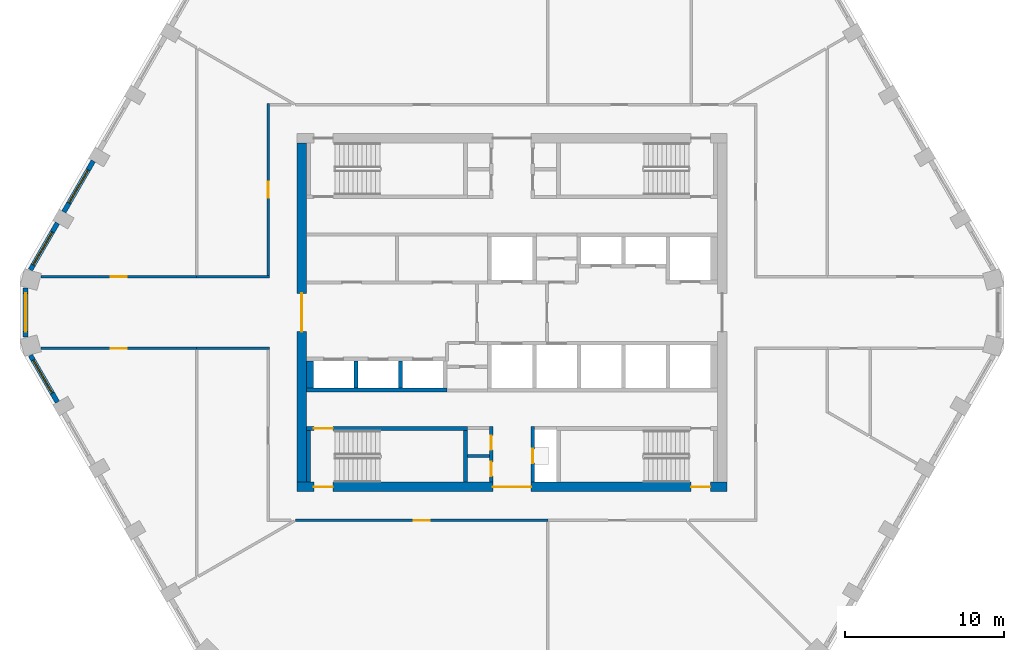
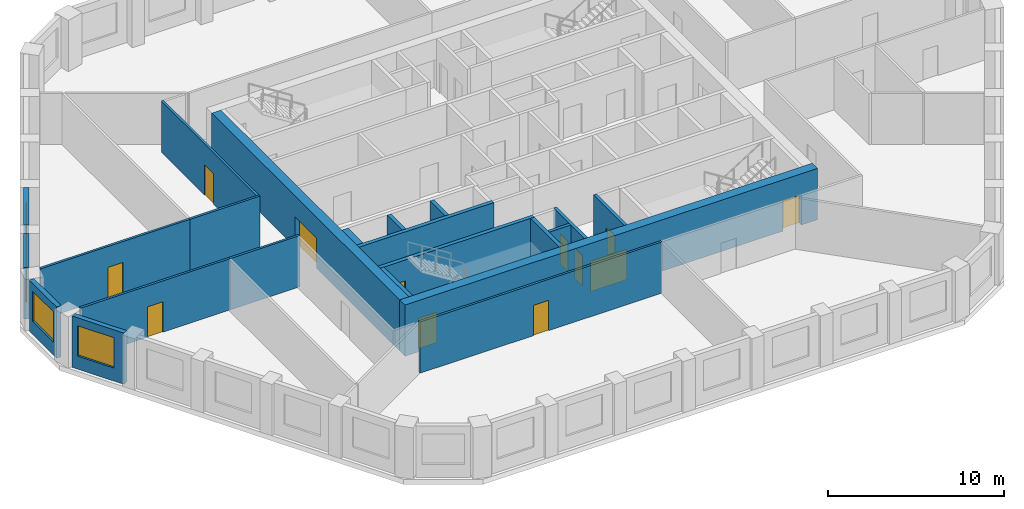
# One storey, part 2 of 8: 22 walls, 12 doors, 4 windows, 16 openings.
"""IFC4 building model written with IfcOpenShell, lengths in metres."""

from ifc_helpers import new_model, si_unit, direction, frame, frame_2d, origin, place, context, subcontext, project, spatial, polyline, rectangle, outline, extrude, material, layer, layer_set, type_object, element, fill, save


model = new_model("IFC4")

# Units and contexts
model_context = context("Model", 3, precision=1e-05, world=origin(), true_north=direction((0.0, 1.0)))
body_context = subcontext(model_context, "Body", "Model", "MODEL_VIEW")
ifc_project = project(units=[si_unit("LENGTHUNIT", "METRE"), si_unit("AREAUNIT", "SQUARE_METRE"), si_unit("VOLUMEUNIT", "CUBIC_METRE"), si_unit("PLANEANGLEUNIT", "RADIAN"), si_unit("MASSUNIT", "GRAM", prefix="KILO")], contexts=[model_context])

# Site, building, storey
site_placement = place(None, origin())
site = spatial("IfcSite", under=ifc_project, at=site_placement, CompositionType="ELEMENT")
building_placement = place(site_placement, origin())
building = spatial("IfcBuilding", under=site, at=building_placement, Name="Dhurran Vertical Campus", CompositionType="ELEMENT")
storey_placement = place(building_placement, frame((0.0, 0.0, 222.89990234375)))
storey = spatial("IfcBuildingStorey", under=building, at=storey_placement, Name="L55", CompositionType="ELEMENT", Elevation=222.89990234375)

# Wall, opening, window
ifc_material_1 = material(Name="Precast concrete C50/60", Category="concrete")
ifc_layer_1 = layer(ifc_material_1, 0.300048828125)
ifc_layer_set_1 = layer_set([ifc_layer_1], Name="Precast concrete C50/60")
wall_type_1 = type_object("IfcWallType", Name="Precast spandrel wall 300", PredefinedType="SOLIDWALL", material=ifc_layer_set_1)
wall_1_placement = place(storey_placement, frame((-26.294189453125, 9.5224609375, 0.0), z_axis=(0.0, 0.0, 1.0), x_axis=(-0.500029062817, -0.866008623709, 0.0)))
wall_1 = element("IfcWall", 1, at=wall_1_placement, inside=storey, type_object=wall_type_1, Name="EW1 L55.31", PredefinedType="SOLIDWALL", context=body_context, shape_type="SweptSolid", body=[
    extrude(rectangle(XDim=3.698974609375, YDim=0.300048828125, at=frame_2d((1.849609375, 0.0))), origin(), (0.0, 0.0, 1.0), 3.550048828125),
])
opening_1_placement = place(wall_1_placement, frame((0.6494140625, 0.0, 0.89990234375)))
opening_1 = element("IfcOpeningElement", 2, at=opening_1_placement, cuts=wall_1, Name="Opening WT1", PredefinedType="OPENING", context=body_context, shape_type="SweptSolid", body=[
    extrude(rectangle(XDim=2.39990234375, YDim=2.10009765625, at=frame_2d((1.199951171875, 1.050048828125))), frame((0.0, 0.159912109375, 0.0), z_axis=(0.0, -1.0, 0.0), x_axis=(1.0, 0.0, 0.0)), (0.0, 0.0, 1.0), 0.320068359375),
])
ifc_material_2 = material(Name="Aluminium frame with solar-control glass", Category="aluminium")
window_type = type_object("IfcWindowType", Name="Punched window 2400 x 2100", PartitioningType="SINGLE_PANEL", PredefinedType="WINDOW", material=ifc_material_2)
window_1_placement = place(opening_1_placement, origin())
window_1 = element("IfcWindow", 3, at=window_1_placement, inside=storey, type_object=window_type, Name="WT1 L55.31", OverallHeight=2.10009765625, OverallWidth=2.39990234375, PartitioningType="SINGLE_PANEL", PredefinedType="WINDOW", context=body_context, shape_type="SweptSolid", body=[
    extrude(rectangle(XDim=2.39990234375, YDim=2.10009765625, at=frame_2d((1.199951171875, 1.050048828125))), frame((0.0, 0.030029296875, 0.0), z_axis=(0.0, -1.0, 0.0), x_axis=(1.0, 0.0, 0.0)), (0.0, 0.0, 1.0), 0.06005859375),
])
fill(opening_1, window_1)

wall_2_placement = place(storey_placement, frame((-28.544189453125, 5.625244140625, 0.0), z_axis=(0.0, 0.0, 1.0), x_axis=(-0.500012868213, -0.866017974191, 0.0)))
wall_2 = element("IfcWall", 4, at=wall_2_placement, inside=storey, type_object=wall_type_1, Name="EW1 L55.32", PredefinedType="SOLIDWALL", context=body_context, shape_type="SweptSolid", body=[
    extrude(rectangle(XDim=3.39599609375, YDim=0.300048828125, at=frame_2d((1.697998046875, 0.0))), origin(), (0.0, 0.0, 1.0), 3.550048828125),
])
opening_2_placement = place(wall_2_placement, frame((0.6494140625, 0.0, 0.89990234375)))
opening_2 = element("IfcOpeningElement", 5, at=opening_2_placement, cuts=wall_2, Name="Opening WT1", PredefinedType="OPENING", context=body_context, shape_type="SweptSolid", body=[
    extrude(rectangle(XDim=2.39990234375, YDim=2.10009765625, at=frame_2d((1.199951171875, 1.050048828125))), frame((0.0, 0.159912109375, 0.0), z_axis=(0.0, -1.0, 0.0), x_axis=(1.0, 0.0, 0.0)), (0.0, 0.0, 1.0), 0.320068359375),
])
window_2_placement = place(opening_2_placement, origin())
window_2 = element("IfcWindow", 6, at=window_2_placement, inside=storey, type_object=window_type, Name="WT1 L55.32", OverallHeight=2.10009765625, OverallWidth=2.39990234375, PartitioningType="SINGLE_PANEL", PredefinedType="WINDOW", context=body_context, shape_type="SweptSolid", body=[
    extrude(rectangle(XDim=2.39990234375, YDim=2.10009765625, at=frame_2d((1.199951171875, 1.050048828125))), frame((0.0, 0.030029296875, 0.0), z_axis=(0.0, -1.0, 0.0), x_axis=(1.0, 0.0, 0.0)), (0.0, 0.0, 1.0), 0.06005859375),
])
fill(opening_2, window_2)

wall_3_placement = place(storey_placement, frame((-30.547119140625, 1.54638671875, 0.0), z_axis=(0.0, 0.0, 1.0), x_axis=(0.0, -1.0, 0.0)))
wall_3 = element("IfcWall", 7, at=wall_3_placement, inside=storey, type_object=wall_type_1, Name="EW1 L55.33", PredefinedType="SOLIDWALL", context=body_context, shape_type="SweptSolid", body=[
    extrude(rectangle(XDim=3.0927734375, YDim=0.300048828125, at=frame_2d((1.54638671875, 0.0))), origin(), (0.0, 0.0, 1.0), 3.550048828125),
])
opening_3_placement = place(wall_3_placement, frame((0.34619140625, 0.0, 0.89990234375)))
opening_3 = element("IfcOpeningElement", 8, at=opening_3_placement, cuts=wall_3, Name="Opening WT1", PredefinedType="OPENING", context=body_context, shape_type="SweptSolid", body=[
    extrude(rectangle(XDim=2.39990234375, YDim=2.10009765625, at=frame_2d((1.199951171875, 1.050048828125))), frame((0.0, 0.159912109375, 0.0), z_axis=(0.0, -1.0, 0.0), x_axis=(1.0, 0.0, 0.0)), (0.0, 0.0, 1.0), 0.320068359375),
])
window_3_placement = place(opening_3_placement, origin())
window_3 = element("IfcWindow", 9, at=window_3_placement, inside=storey, type_object=window_type, Name="WT1 L55.33", OverallHeight=2.10009765625, OverallWidth=2.39990234375, PartitioningType="SINGLE_PANEL", PredefinedType="WINDOW", context=body_context, shape_type="SweptSolid", body=[
    extrude(rectangle(XDim=2.39990234375, YDim=2.10009765625, at=frame_2d((1.199951171875, 1.050048828125))), frame((0.0, 0.030029296875, 0.0), z_axis=(0.0, -1.0, 0.0), x_axis=(1.0, 0.0, 0.0)), (0.0, 0.0, 1.0), 0.06005859375),
])
fill(opening_3, window_3)

wall_4_placement = place(storey_placement, frame((-30.2421875, -2.684326171875, 0.0), z_axis=(0.0, 0.0, 1.0), x_axis=(0.500012868213, -0.866017974191, 0.0)))
wall_4 = element("IfcWall", 10, at=wall_4_placement, inside=storey, type_object=wall_type_1, Name="EW1 L55.34", PredefinedType="SOLIDWALL", context=body_context, shape_type="SweptSolid", body=[
    extrude(rectangle(XDim=3.39599609375, YDim=0.300048828125, at=frame_2d((1.697998046875, 0.0))), origin(), (0.0, 0.0, 1.0), 3.550048828125),
])
opening_4_placement = place(wall_4_placement, frame((0.346435546875, 0.0, 0.89990234375)))
opening_4 = element("IfcOpeningElement", 11, at=opening_4_placement, cuts=wall_4, Name="Opening WT1", PredefinedType="OPENING", context=body_context, shape_type="SweptSolid", body=[
    extrude(rectangle(XDim=2.39990234375, YDim=2.10009765625, at=frame_2d((1.199951171875, 1.050048828125))), frame((0.0, 0.159912109375, 0.0), z_axis=(0.0, -1.0, 0.0), x_axis=(1.0, 0.0, 0.0)), (0.0, 0.0, 1.0), 0.320068359375),
])
window_4_placement = place(opening_4_placement, origin())
window_4 = element("IfcWindow", 12, at=window_4_placement, inside=storey, type_object=window_type, Name="WT1 L55.34", OverallHeight=2.10009765625, OverallWidth=2.39990234375, PartitioningType="SINGLE_PANEL", PredefinedType="WINDOW", context=body_context, shape_type="SweptSolid", body=[
    extrude(rectangle(XDim=2.39990234375, YDim=2.10009765625, at=frame_2d((1.199951171875, 1.050048828125))), frame((0.0, 0.030029296875, 0.0), z_axis=(0.0, -1.0, 0.0), x_axis=(1.0, 0.0, 0.0)), (0.0, 0.0, 1.0), 0.06005859375),
])
fill(opening_4, window_4)

# Wall, openings, doors
ifc_material_3 = material(Name="Concrete C50/60", Category="concrete")
ifc_layer_2 = layer(ifc_material_3, 0.60009765625)
ifc_layer_set_2 = layer_set([ifc_layer_2], Name="Concrete C50/60")
wall_type_2 = type_object("IfcWallType", Name="co-CORE-WALL-C2-600", PredefinedType="SHEAR", material=ifc_layer_set_2)
wall_5_placement = place(storey_placement, frame((-13.5, -10.949951171875, 0.0), z_axis=(0.0, 0.0, 1.0), x_axis=(1.0, 0.0, 0.0)))
wall_5 = element("IfcWall", 13, at=wall_5_placement, inside=storey, type_object=wall_type_2, Name="Core wall S L55", PredefinedType="SHEAR", context=body_context, shape_type="SweptSolid", body=[
    extrude(rectangle(XDim=27.0, YDim=0.60009765625, at=frame_2d((13.5, 0.0))), origin(), (0.0, 0.0, 1.0), 3.550048828125),
])
opening_5_placement = place(wall_5_placement, frame((12.300048828125, 0.0, 0.0)))
opening_5 = element("IfcOpeningElement", 14, at=opening_5_placement, cuts=wall_5, Name="Opening CV2", PredefinedType="OPENING", context=body_context, shape_type="SweptSolid", body=[
    extrude(rectangle(XDim=2.39990234375, YDim=2.10009765625, at=frame_2d((1.199951171875, 1.050048828125))), frame((0.0, 0.31005859375, 0.0), z_axis=(0.0, -1.0, 0.0), x_axis=(1.0, 0.0, 0.0)), (0.0, 0.0, 1.0), 0.6201171875),
])
opening_6_placement = place(wall_5_placement, frame((1.050048828125, 0.0, 0.0)))
opening_6 = element("IfcOpeningElement", 15, at=opening_6_placement, cuts=wall_5, Name="Opening XD3", PredefinedType="OPENING", context=body_context, shape_type="SweptSolid", body=[
    extrude(rectangle(XDim=1.199951171875, YDim=2.10009765625, at=frame_2d((0.60009765625, 1.050048828125))), frame((0.0, 0.31005859375, 0.0), z_axis=(0.0, -1.0, 0.0), x_axis=(1.0, 0.0, 0.0)), (0.0, 0.0, 1.0), 0.6201171875),
])
opening_7_placement = place(wall_5_placement, frame((24.75, 0.0, 0.0)))
opening_7 = element("IfcOpeningElement", 16, at=opening_7_placement, cuts=wall_5, Name="Opening XD4", PredefinedType="OPENING", context=body_context, shape_type="SweptSolid", body=[
    extrude(rectangle(XDim=1.199951171875, YDim=2.10009765625, at=frame_2d((0.60009765625, 1.050048828125))), frame((0.0, 0.31005859375, 0.0), z_axis=(0.0, -1.0, 0.0), x_axis=(1.0, 0.0, 0.0)), (0.0, 0.0, 1.0), 0.6201171875),
])
ifc_material_4 = material(Name="Fire-rated glazed door set")
door_type_1 = type_object("IfcDoorType", Name="co-D-LOBBY 2400x2100", OperationType="DOUBLE_DOOR_DOUBLE_SWING", PredefinedType="DOOR", material=ifc_material_4)
door_1_placement = place(opening_5_placement, origin())
door_1 = element("IfcDoor", 17, at=door_1_placement, inside=storey, type_object=door_type_1, Name="Core vestibule door S L55", OperationType="DOUBLE_DOOR_DOUBLE_SWING", OverallHeight=2.10009765625, OverallWidth=2.39990234375, PredefinedType="DOOR", context=body_context, shape_type="SweptSolid", body=[
    extrude(rectangle(XDim=2.39990234375, YDim=2.10009765625, at=frame_2d((1.199951171875, 1.050048828125))), frame((0.0, 0.02490234375, 0.0), z_axis=(0.0, -1.0, 0.0), x_axis=(1.0, 0.0, 0.0)), (0.0, 0.0, 1.0), 0.050048828125),
])
fill(opening_5, door_1)
ifc_material_5 = material(Name="Fire-rated steel door set", Category="steel")
door_type_2 = type_object("IfcDoorType", Name="co-D-STAIR-EXIT 1200x2100", OperationType="SINGLE_SWING_RIGHT", PredefinedType="DOOR", material=ifc_material_5)
door_2_placement = place(opening_6_placement, origin())
door_2 = element("IfcDoor", 18, at=door_2_placement, inside=storey, type_object=door_type_2, Name="Stair ST3 exit door L55", OperationType="SINGLE_SWING_RIGHT", OverallHeight=2.10009765625, OverallWidth=1.199951171875, PredefinedType="DOOR", context=body_context, shape_type="SweptSolid", body=[
    extrude(rectangle(XDim=1.199951171875, YDim=2.10009765625, at=frame_2d((0.60009765625, 1.050048828125))), frame((0.0, 0.02490234375, 0.0), z_axis=(0.0, -1.0, 0.0), x_axis=(1.0, 0.0, 0.0)), (0.0, 0.0, 1.0), 0.050048828125),
])
fill(opening_6, door_2)
door_3_placement = place(opening_7_placement, origin())
door_3 = element("IfcDoor", 19, at=door_3_placement, inside=storey, type_object=door_type_2, Name="Stair ST4 exit door L55", OperationType="SINGLE_SWING_RIGHT", OverallHeight=2.10009765625, OverallWidth=1.199951171875, PredefinedType="DOOR", context=body_context, shape_type="SweptSolid", body=[
    extrude(rectangle(XDim=1.199951171875, YDim=2.10009765625, at=frame_2d((0.60009765625, 1.050048828125))), frame((0.0, 0.02490234375, 0.0), z_axis=(0.0, -1.0, 0.0), x_axis=(1.0, 0.0, 0.0)), (0.0, 0.0, 1.0), 0.050048828125),
])
fill(opening_7, door_3)

# Wall, opening, door
wall_6_placement = place(storey_placement, frame((-13.199951171875, -10.64990234375, 0.0), z_axis=(0.0, 0.0, 1.0), x_axis=(0.0, 1.0, 0.0)))
wall_6 = element("IfcWall", 20, at=wall_6_placement, inside=storey, type_object=wall_type_2, Name="Core wall W L55", PredefinedType="SHEAR", context=body_context, shape_type="SweptSolid", body=[
    extrude(rectangle(XDim=21.2998046875, YDim=0.60009765625, at=frame_2d((10.64990234375, 0.0))), origin(), (0.0, 0.0, 1.0), 3.550048828125),
])
opening_8_placement = place(wall_6_placement, frame((9.449951171875, 0.0, 0.0)))
opening_8 = element("IfcOpeningElement", 21, at=opening_8_placement, cuts=wall_6, Name="Opening CL1", PredefinedType="OPENING", context=body_context, shape_type="SweptSolid", body=[
    extrude(rectangle(XDim=2.39990234375, YDim=2.10009765625, at=frame_2d((1.199951171875, 1.050048828125))), frame((0.0, 0.31005859375, 0.0), z_axis=(0.0, -1.0, 0.0), x_axis=(1.0, 0.0, 0.0)), (0.0, 0.0, 1.0), 0.6201171875),
])
door_4_placement = place(opening_8_placement, origin())
door_4 = element("IfcDoor", 22, at=door_4_placement, inside=storey, type_object=door_type_1, Name="Lift lobby door W L55", OperationType="DOUBLE_DOOR_DOUBLE_SWING", OverallHeight=2.10009765625, OverallWidth=2.39990234375, PredefinedType="DOOR", context=body_context, shape_type="SweptSolid", body=[
    extrude(rectangle(XDim=2.39990234375, YDim=2.10009765625, at=frame_2d((1.199951171875, 1.050048828125))), frame((0.0, 0.02490234375, 0.0), z_axis=(0.0, -1.0, 0.0), x_axis=(1.0, 0.0, 0.0)), (0.0, 0.0, 1.0), 0.050048828125),
])
fill(opening_8, door_4)

# Wall
ifc_material_6 = material(Name="Fire-rated masonry blockwork", Category="masonry")
ifc_layer_3 = layer(ifc_material_6, 0.199951171875)
ifc_layer_set_3 = layer_set([ifc_layer_3], Name="Fire-rated masonry blockwork")
wall_type_3 = type_object("IfcWallType", Name="co-FIRE-PARTITION-200", PredefinedType="PARTITIONING", material=ifc_layer_set_3)
wall_7_placement = place(storey_placement, frame((-2.800048828125, -9.0, 0.0), z_axis=(0.0, 0.0, 1.0), x_axis=(1.0, 0.0, 0.0)))
element("IfcWall", 23, at=wall_7_placement, inside=storey, type_object=wall_type_3, Name="Core partition sl-SW-cut0 L55", PredefinedType="PARTITIONING", context=body_context, shape_type="SweptSolid", body=[
    extrude(rectangle(XDim=1.400146484375, YDim=0.199951171875, at=frame_2d((0.7001953125, 0.0))), origin(), (0.0, 0.0, 1.0), 3.550048828125),
])

# Wall, openings, doors
wall_8_placement = place(storey_placement, frame((-1.300048828125, -10.64990234375, 0.0), z_axis=(0.0, 0.0, 1.0), x_axis=(0.0, 1.0, 0.0)))
wall_8 = element("IfcWall", 24, at=wall_8_placement, inside=storey, type_object=wall_type_3, Name="Core partition vest-SW L55", PredefinedType="PARTITIONING", context=body_context, shape_type="SweptSolid", body=[
    extrude(rectangle(XDim=3.5, YDim=0.199951171875, at=frame_2d((1.75, 0.0))), origin(), (0.0, 0.0, 1.0), 3.550048828125),
])
opening_9_placement = place(wall_8_placement, frame((0.375, 0.0, 0.0)))
opening_9 = element("IfcOpeningElement", 25, at=opening_9_placement, cuts=wall_8, Name="Opening T16-C1", PredefinedType="OPENING", context=body_context, shape_type="SweptSolid", body=[
    extrude(rectangle(XDim=0.89990234375, YDim=2.10009765625, at=frame_2d((0.449951171875, 1.050048828125))), frame((0.0, 0.10986328125, 0.0), z_axis=(0.0, -1.0, 0.0), x_axis=(1.0, 0.0, 0.0)), (0.0, 0.0, 1.0), 0.219970703125),
])
opening_10_placement = place(wall_8_placement, frame((2.02490234375, 0.0, 0.0)))
opening_10 = element("IfcOpeningElement", 26, at=opening_10_placement, cuts=wall_8, Name="Opening T16-C2", PredefinedType="OPENING", context=body_context, shape_type="SweptSolid", body=[
    extrude(rectangle(XDim=0.89990234375, YDim=2.10009765625, at=frame_2d((0.449951171875, 1.050048828125))), frame((0.0, 0.10986328125, 0.0), z_axis=(0.0, -1.0, 0.0), x_axis=(1.0, 0.0, 0.0)), (0.0, 0.0, 1.0), 0.219970703125),
])
ifc_material_7 = material(Name="Fire-rated timber door set", Category="wood")
door_type_3 = type_object("IfcDoorType", Name="co-D-ROOM 900x2100", OperationType="SINGLE_SWING_LEFT", PredefinedType="DOOR", material=ifc_material_7)
door_5_placement = place(opening_9_placement, origin())
door_5 = element("IfcDoor", 27, at=door_5_placement, inside=storey, type_object=door_type_3, Name="Store door L55", OperationType="SINGLE_SWING_LEFT", OverallHeight=2.10009765625, OverallWidth=0.89990234375, PredefinedType="DOOR", context=body_context, shape_type="SweptSolid", body=[
    extrude(rectangle(XDim=0.89990234375, YDim=2.10009765625, at=frame_2d((0.449951171875, 1.050048828125))), frame((0.0, 0.02490234375, 0.0), z_axis=(0.0, -1.0, 0.0), x_axis=(1.0, 0.0, 0.0)), (0.0, 0.0, 1.0), 0.050048828125),
])
fill(opening_9, door_5)
door_6_placement = place(opening_10_placement, origin())
door_6 = element("IfcDoor", 28, at=door_6_placement, inside=storey, type_object=door_type_3, Name="Communications room door L55", OperationType="SINGLE_SWING_LEFT", OverallHeight=2.10009765625, OverallWidth=0.89990234375, PredefinedType="DOOR", context=body_context, shape_type="SweptSolid", body=[
    extrude(rectangle(XDim=0.89990234375, YDim=2.10009765625, at=frame_2d((0.449951171875, 1.050048828125))), frame((0.0, 0.02490234375, 0.0), z_axis=(0.0, -1.0, 0.0), x_axis=(1.0, 0.0, 0.0)), (0.0, 0.0, 1.0), 0.050048828125),
])
fill(opening_10, door_6)

# Wall, opening, door
wall_9_placement = place(storey_placement, frame((1.300048828125, -10.64990234375, 0.0), z_axis=(0.0, 0.0, 1.0), x_axis=(0.0, 1.0, 0.0)))
wall_9 = element("IfcWall", 29, at=wall_9_placement, inside=storey, type_object=wall_type_3, Name="Core partition vest-SE L55", PredefinedType="PARTITIONING", context=body_context, shape_type="SweptSolid", body=[
    extrude(rectangle(XDim=3.5, YDim=0.199951171875, at=frame_2d((1.75, 0.0))), origin(), (0.0, 0.0, 1.0), 3.550048828125),
])
opening_11_placement = place(wall_9_placement, frame((1.199951171875, 0.0, 0.0)))
opening_11 = element("IfcOpeningElement", 30, at=opening_11_placement, cuts=wall_9, Name="Opening T16-C3", PredefinedType="OPENING", context=body_context, shape_type="SweptSolid", body=[
    extrude(rectangle(XDim=0.89990234375, YDim=2.10009765625, at=frame_2d((0.449951171875, 1.050048828125))), frame((0.0, 0.10986328125, 0.0), z_axis=(0.0, -1.0, 0.0), x_axis=(1.0, 0.0, 0.0)), (0.0, 0.0, 1.0), 0.219970703125),
])
door_7_placement = place(opening_11_placement, origin())
door_7 = element("IfcDoor", 31, at=door_7_placement, inside=storey, type_object=door_type_3, Name="Electrical riser door L55", OperationType="SINGLE_SWING_LEFT", OverallHeight=2.10009765625, OverallWidth=0.89990234375, PredefinedType="DOOR", context=body_context, shape_type="SweptSolid", body=[
    extrude(rectangle(XDim=0.89990234375, YDim=2.10009765625, at=frame_2d((0.449951171875, 1.050048828125))), frame((0.0, 0.02490234375, 0.0), z_axis=(0.0, -1.0, 0.0), x_axis=(1.0, 0.0, 0.0)), (0.0, 0.0, 1.0), 0.050048828125),
])
fill(opening_11, door_7)

# Walls
ifc_material_8 = material(Name="Concrete C50/60", Category="concrete")
ifc_layer_4 = layer(ifc_material_8, 0.25)
ifc_layer_set_4 = layer_set([ifc_layer_4], Name="Concrete C50/60")
wall_type_4 = type_object("IfcWallType", Name="co-SHAFT-MASS-250", PredefinedType="SHEAR", material=ifc_layer_set_4)
wall_10_placement = place(storey_placement, origin())
element("IfcWall", 32, at=wall_10_placement, inside=storey, type_object=wall_type_4, Name="Lift shaft wall S L55 1", PredefinedType="SHEAR", context=body_context, shape_type="SweptSolid", body=[
    extrude(outline(polyline([(-12.89990234375, -5.0), (-4.074951171875, -5.0), (-4.074951171875, -4.75), (-12.89990234375, -4.75), (-12.89990234375, -5.0)])), origin(), (0.0, 0.0, 1.0), 3.550048828125),
])
wall_11_placement = place(storey_placement, origin())
element("IfcWall", 33, at=wall_11_placement, inside=storey, type_object=wall_type_4, Name="Lift shaft wall S L55 3", PredefinedType="SHEAR", context=body_context, shape_type="SweptSolid", body=[
    extrude(outline(polyline([(-12.89990234375, -4.75), (-12.47509765625, -4.75), (-12.47509765625, -3.050048828125), (-12.89990234375, -3.050048828125), (-12.89990234375, -4.75)])), origin(), (0.0, 0.0, 1.0), 3.550048828125),
])
wall_12_placement = place(storey_placement, origin())
element("IfcWall", 34, at=wall_12_placement, inside=storey, type_object=wall_type_4, Name="Lift shaft wall S L55 4", PredefinedType="SHEAR", context=body_context, shape_type="SweptSolid", body=[
    extrude(outline(polyline([(-9.925048828125, -4.75), (-9.675048828125, -4.75), (-9.675048828125, -3.050048828125), (-9.925048828125, -3.050048828125), (-9.925048828125, -4.75)])), origin(), (0.0, 0.0, 1.0), 3.550048828125),
])
wall_13_placement = place(storey_placement, origin())
element("IfcWall", 35, at=wall_13_placement, inside=storey, type_object=wall_type_4, Name="Lift shaft wall S L55 5", PredefinedType="SHEAR", context=body_context, shape_type="SweptSolid", body=[
    extrude(outline(polyline([(-7.125, -4.75), (-6.875, -4.75), (-6.875, -3.050048828125), (-7.125, -3.050048828125), (-7.125, -4.75)])), origin(), (0.0, 0.0, 1.0), 3.550048828125),
])

# Wall, opening, door
ifc_material_9 = material(Name="Concrete C40/50", Category="concrete")
ifc_layer_5 = layer(ifc_material_9, 0.25)
ifc_layer_set_5 = layer_set([ifc_layer_5], Name="Concrete C40/50")
wall_type_5 = type_object("IfcWallType", Name="co-STAIR-WALL-250", PredefinedType="SHEAR", material=ifc_layer_set_5)
wall_14_placement = place(storey_placement, frame((-12.89990234375, -7.27490234375, 0.0), z_axis=(0.0, 0.0, 1.0), x_axis=(1.0, 0.0, 0.0)))
wall_14 = element("IfcWall", 36, at=wall_14_placement, inside=storey, type_object=wall_type_5, Name="Stair ST3 enclosure wall L55", PredefinedType="SHEAR", context=body_context, shape_type="SweptSolid", body=[
    extrude(rectangle(XDim=10.099853515625, YDim=0.25, at=frame_2d((5.0498046875, 0.0))), origin(), (0.0, 0.0, 1.0), 3.550048828125),
])
opening_12_placement = place(wall_14_placement, frame((0.449951171875, 0.0, 0.0)))
opening_12 = element("IfcOpeningElement", 37, at=opening_12_placement, cuts=wall_14, Name="Opening SD3", PredefinedType="OPENING", context=body_context, shape_type="SweptSolid", body=[
    extrude(rectangle(XDim=1.199951171875, YDim=2.10009765625, at=frame_2d((0.60009765625, 1.050048828125))), frame((0.0, 0.135009765625, 0.0), z_axis=(0.0, -1.0, 0.0), x_axis=(1.0, 0.0, 0.0)), (0.0, 0.0, 1.0), 0.27001953125),
])
ifc_material_10 = material(Name="Fire-rated steel door set", Category="steel")
door_type_4 = type_object("IfcDoorType", Name="co-D-STAIR 1200x2100", OperationType="SINGLE_SWING_LEFT", PredefinedType="DOOR", material=ifc_material_10)
door_8_placement = place(opening_12_placement, origin())
door_8 = element("IfcDoor", 38, at=door_8_placement, inside=storey, type_object=door_type_4, Name="Stair ST3 door L55", OperationType="SINGLE_SWING_LEFT", OverallHeight=2.10009765625, OverallWidth=1.199951171875, PredefinedType="DOOR", context=body_context, shape_type="SweptSolid", body=[
    extrude(rectangle(XDim=1.199951171875, YDim=2.10009765625, at=frame_2d((0.60009765625, 1.050048828125))), frame((0.0, 0.02490234375, 0.0), z_axis=(0.0, -1.0, 0.0), x_axis=(1.0, 0.0, 0.0)), (0.0, 0.0, 1.0), 0.050048828125),
])
fill(opening_12, door_8)

# Walls
for number, where, z_axis, x_axis, name in (
    (39, (-12.77490234375, -10.64990234375, 0.0), (0.0, 0.0, 1.0), (0.0, 1.0, 0.0), "Stair ST3 enclosure wall L55"),
    (40, (-2.925048828125, -10.64990234375, 0.0), (0.0, 0.0, 1.0), (0.0, 1.0, 0.0), "Stair ST3 enclosure wall L55"),
):
    element("IfcWall", number, at=place(storey_placement, frame(where, z_axis=z_axis, x_axis=x_axis)), inside=storey, type_object=wall_type_5, Name=name, PredefinedType="SHEAR", context=body_context, shape_type="SweptSolid", body=[
        extrude(rectangle(XDim=3.25, YDim=0.25, at=frame_2d((1.625, 0.0))), origin(), (0.0, 0.0, 1.0), 3.550048828125),
    ])

# Wall, opening, door
ifc_material_11 = material(Name="Gypsum board corridor wall on steel studs", Category="steel")
ifc_layer_6 = layer(ifc_material_11, 0.14990234375)
ifc_layer_set_6 = layer_set([ifc_layer_6], Name="Gypsum board corridor wall on steel studs")
wall_type_6 = type_object("IfcWallType", Name="fl-CW-150 corridor wall", PredefinedType="PARTITIONING", material=ifc_layer_set_6)
wall_15_placement = place(storey_placement, frame((-19.800048828125, -2.25, 0.0), z_axis=(0.0, 0.0, 1.0), x_axis=(-1.0, 0.0, 0.0)))
wall_15 = element("IfcWall", 41, at=wall_15_placement, inside=storey, type_object=wall_type_6, Name="Partition 55-01", PredefinedType="PARTITIONING", context=body_context, shape_type="SweptSolid", body=[
    extrude(rectangle(XDim=9.784912109375, YDim=0.14990234375, at=frame_2d((4.892578125, 0.0))), origin(), (0.0, 0.0, 1.0), 3.550048828125),
])
opening_13_placement = place(wall_15_placement, frame((4.392578125, 0.0, 0.0)))
opening_13 = element("IfcOpeningElement", 42, at=opening_13_placement, cuts=wall_15, Name="Opening T16.01", PredefinedType="OPENING", context=body_context, shape_type="SweptSolid", body=[
    extrude(rectangle(XDim=1.0, YDim=2.10009765625, at=frame_2d((0.5, 1.050048828125))), frame((0.0, 0.0849609375, 0.0), z_axis=(0.0, -1.0, 0.0), x_axis=(1.0, 0.0, 0.0)), (0.0, 0.0, 1.0), 0.169921875),
])
ifc_material_12 = material(Name="Solid-core timber door set, fire-rated", Category="wood")
door_type_5 = type_object("IfcDoorType", Name="fl-D-1000x2100", OperationType="SINGLE_SWING_LEFT", PredefinedType="DOOR", material=ifc_material_12)
door_9_placement = place(opening_13_placement, origin())
door_9 = element("IfcDoor", 43, at=door_9_placement, inside=storey, type_object=door_type_5, Name="Door 55.01", OperationType="SINGLE_SWING_RIGHT", OverallHeight=2.10009765625, OverallWidth=1.0, PredefinedType="DOOR", context=body_context, shape_type="SweptSolid", body=[
    extrude(rectangle(XDim=1.0, YDim=2.10009765625, at=frame_2d((0.5, 1.050048828125))), frame((0.0, 0.02490234375, 0.0), z_axis=(0.0, -1.0, 0.0), x_axis=(1.0, 0.0, 0.0)), (0.0, 0.0, 1.0), 0.050048828125),
])
fill(opening_13, door_9)

wall_16_placement = place(storey_placement, frame((-29.5849609375, 2.25, 0.0), z_axis=(0.0, 0.0, 1.0), x_axis=(1.0, 0.0, 0.0)))
wall_16 = element("IfcWall", 44, at=wall_16_placement, inside=storey, type_object=wall_type_6, Name="Partition 55-02", PredefinedType="PARTITIONING", context=body_context, shape_type="SweptSolid", body=[
    extrude(rectangle(XDim=9.784912109375, YDim=0.14990234375, at=frame_2d((4.892578125, 0.0))), origin(), (0.0, 0.0, 1.0), 3.550048828125),
])
opening_14_placement = place(wall_16_placement, frame((4.392578125, 0.0, 0.0)))
opening_14 = element("IfcOpeningElement", 45, at=opening_14_placement, cuts=wall_16, Name="Opening T16.02", PredefinedType="OPENING", context=body_context, shape_type="SweptSolid", body=[
    extrude(rectangle(XDim=1.0, YDim=2.10009765625, at=frame_2d((0.5, 1.050048828125))), frame((0.0, 0.0849609375, 0.0), z_axis=(0.0, -1.0, 0.0), x_axis=(1.0, 0.0, 0.0)), (0.0, 0.0, 1.0), 0.169921875),
])
door_10_placement = place(opening_14_placement, origin())
door_10 = element("IfcDoor", 46, at=door_10_placement, inside=storey, type_object=door_type_5, Name="Door 55.02", OperationType="SINGLE_SWING_LEFT", OverallHeight=2.10009765625, OverallWidth=1.0, PredefinedType="DOOR", context=body_context, shape_type="SweptSolid", body=[
    extrude(rectangle(XDim=1.0, YDim=2.10009765625, at=frame_2d((0.5, 1.050048828125))), frame((0.0, 0.02490234375, 0.0), z_axis=(0.0, -1.0, 0.0), x_axis=(1.0, 0.0, 0.0)), (0.0, 0.0, 1.0), 0.050048828125),
])
fill(opening_14, door_10)

# Walls
for number, where, z_axis, x_axis, name in (
    (47, (-15.22509765625, -2.25, 0.0), (0.0, 0.0, 1.0), (-1.0, 0.0, 0.0), "Partition 55-07"),
    (48, (-19.800048828125, 2.25, 0.0), (0.0, 0.0, 1.0), (1.0, 0.0, 0.0), "Partition 55-09"),
):
    element("IfcWall", number, at=place(storey_placement, frame(where, z_axis=z_axis, x_axis=x_axis)), inside=storey, type_object=wall_type_6, Name=name, PredefinedType="PARTITIONING", context=body_context, shape_type="SweptSolid", body=[
        extrude(rectangle(XDim=4.574951171875, YDim=0.14990234375, at=frame_2d((2.28759765625, 0.0))), origin(), (0.0, 0.0, 1.0), 3.550048828125),
    ])

# Wall, opening, door
wall_17_placement = place(storey_placement, frame((-15.300048828125, 13.125, 0.0), z_axis=(0.0, 0.0, 1.0), x_axis=(0.0, -1.0, 0.0)))
wall_17 = element("IfcWall", 49, at=wall_17_placement, inside=storey, type_object=wall_type_6, Name="Partition 55-13", PredefinedType="PARTITIONING", context=body_context, shape_type="SweptSolid", body=[
    extrude(rectangle(XDim=10.800048828125, YDim=0.14990234375, at=frame_2d((5.39990234375, 0.0))), origin(), (0.0, 0.0, 1.0), 3.550048828125),
])
opening_15_placement = place(wall_17_placement, frame((4.89990234375, 0.0, 0.0)))
opening_15 = element("IfcOpeningElement", 50, at=opening_15_placement, cuts=wall_17, Name="Opening T16.04", PredefinedType="OPENING", context=body_context, shape_type="SweptSolid", body=[
    extrude(rectangle(XDim=1.0, YDim=2.10009765625, at=frame_2d((0.5, 1.050048828125))), frame((0.0, 0.0849609375, 0.0), z_axis=(0.0, -1.0, 0.0), x_axis=(1.0, 0.0, 0.0)), (0.0, 0.0, 1.0), 0.169921875),
])
door_11_placement = place(opening_15_placement, origin())
door_11 = element("IfcDoor", 51, at=door_11_placement, inside=storey, type_object=door_type_5, Name="Door 55.04", OperationType="SINGLE_SWING_LEFT", OverallHeight=2.10009765625, OverallWidth=1.0, PredefinedType="DOOR", context=body_context, shape_type="SweptSolid", body=[
    extrude(rectangle(XDim=1.0, YDim=2.10009765625, at=frame_2d((0.5, 1.050048828125))), frame((0.0, 0.02490234375, 0.0), z_axis=(0.0, -1.0, 0.0), x_axis=(1.0, 0.0, 0.0)), (0.0, 0.0, 1.0), 0.050048828125),
])
fill(opening_15, door_11)

wall_18_placement = place(storey_placement, frame((-13.60302734375, -13.050048828125, 0.0), z_axis=(0.0, 0.0, 1.0), x_axis=(1.0, 0.0, 0.0)))
wall_18 = element("IfcWall", 52, at=wall_18_placement, inside=storey, type_object=wall_type_6, Name="Partition 55-15", PredefinedType="PARTITIONING", context=body_context, shape_type="SweptSolid", body=[
    extrude(rectangle(XDim=15.85302734375, YDim=0.14990234375, at=frame_2d((7.926513671875, 0.0))), origin(), (0.0, 0.0, 1.0), 3.550048828125),
])
opening_16_placement = place(wall_18_placement, frame((7.426513671875, 0.0, 0.0)))
opening_16 = element("IfcOpeningElement", 53, at=opening_16_placement, cuts=wall_18, Name="Opening T16.05", PredefinedType="OPENING", context=body_context, shape_type="SweptSolid", body=[
    extrude(rectangle(XDim=1.0, YDim=2.10009765625, at=frame_2d((0.5, 1.050048828125))), frame((0.0, 0.0849609375, 0.0), z_axis=(0.0, -1.0, 0.0), x_axis=(1.0, 0.0, 0.0)), (0.0, 0.0, 1.0), 0.169921875),
])
door_12_placement = place(opening_16_placement, origin())
door_12 = element("IfcDoor", 54, at=door_12_placement, inside=storey, type_object=door_type_5, Name="Door 55.05", OperationType="SINGLE_SWING_RIGHT", OverallHeight=2.10009765625, OverallWidth=1.0, PredefinedType="DOOR", context=body_context, shape_type="SweptSolid", body=[
    extrude(rectangle(XDim=1.0, YDim=2.10009765625, at=frame_2d((0.5, 1.050048828125))), frame((0.0, 0.02490234375, 0.0), z_axis=(0.0, -1.0, 0.0), x_axis=(1.0, 0.0, 0.0)), (0.0, 0.0, 1.0), 0.050048828125),
])
fill(opening_16, door_12)

save(model, "model.ifc")
